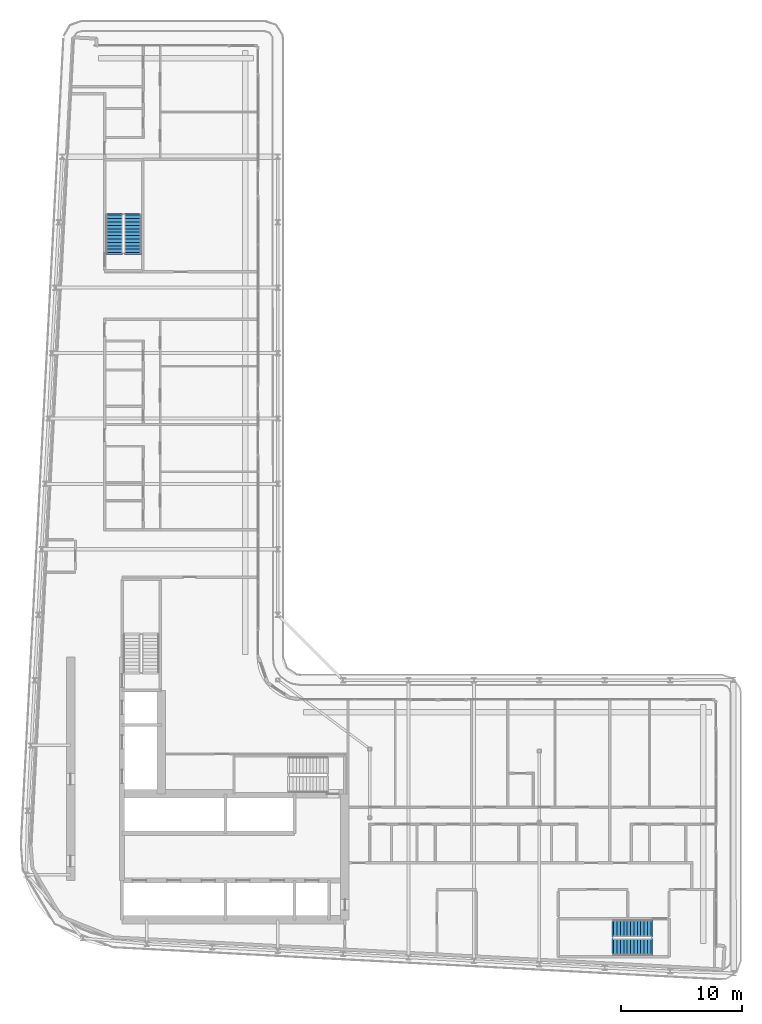
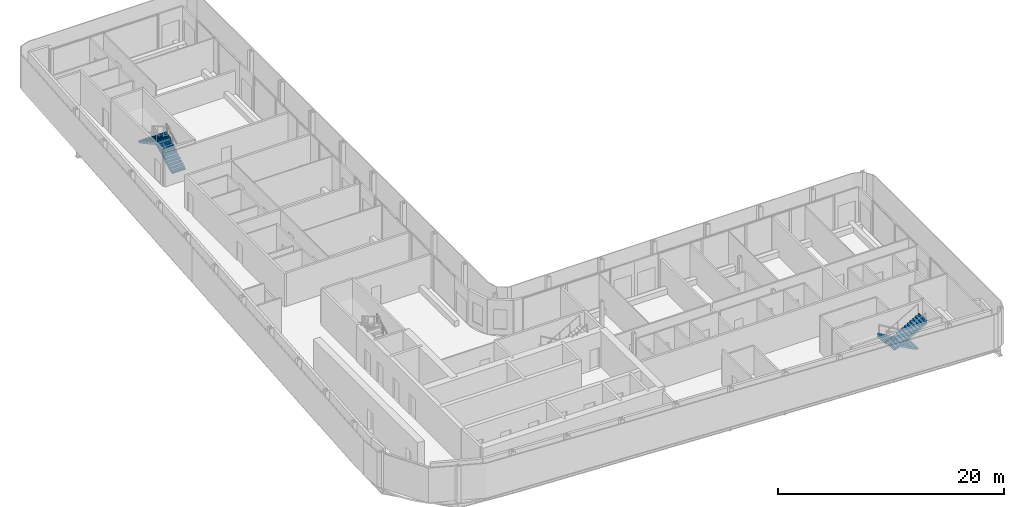
# One storey, part 15 of 22: 4 stair flights, 2 elements without a shape of their own.
"""IFC4 building model written with IfcOpenShell, lengths in metres."""

from ifc_helpers import new_model, si_unit, direction, frame, origin, place, context, subcontext, project, spatial, polyline, outline, extrude, material, layer, layer_set, type_object, element, aggregate, save


model = new_model("IFC4")

# Units and contexts
model_context = context("Model", 3, precision=1e-05, world=origin(), true_north=direction((0.0, 1.0)))
body_context = subcontext(model_context, "Body", "Model", "MODEL_VIEW")
ifc_project = project(units=[si_unit("LENGTHUNIT", "METRE"), si_unit("AREAUNIT", "SQUARE_METRE"), si_unit("VOLUMEUNIT", "CUBIC_METRE"), si_unit("PLANEANGLEUNIT", "RADIAN"), si_unit("MASSUNIT", "GRAM", prefix="KILO")], contexts=[model_context])

# Site, building, storey
site_placement = place(None, origin())
site = spatial("IfcSite", under=ifc_project, at=site_placement, CompositionType="ELEMENT")
building_placement = place(site_placement, origin())
building = spatial("IfcBuilding", under=site, at=building_placement, Name="Kheshtan School and Residences Tower", CompositionType="ELEMENT")
storey_placement = place(building_placement, frame((0.0, 0.0, 251.300048828125)))
storey = spatial("IfcBuildingStorey", under=building, at=storey_placement, Name="L59", CompositionType="ELEMENT", Elevation=251.300048828125)

# Stair, stair flights
ifc_material = material(Name="Concrete C40/50", Category="concrete")
stair_type = type_object("IfcStairType", Name="Exit stair, half-turn", PredefinedType="HALF_TURN_STAIR", material=ifc_material)
stair_1_placement = place(storey_placement, origin())
stair_1 = element("IfcStair", 1, at=stair_1_placement, inside=storey, type_object=stair_type, Name="L59 Protected Exit Stair ST3", PredefinedType="HALF_TURN_STAIR")
ifc_layer = layer(ifc_material, 0.14990234375)
ifc_layer_set = layer_set([ifc_layer], Name="Stair flight 1400 Concrete C40/50")
stair_flight_type = type_object("IfcStairFlightType", Name="Stair flight 1400 Concrete C40/50", PredefinedType="STRAIGHT", material=ifc_layer_set)
stair_flight_1_placement = place(storey_placement, frame((35.64990234375, 80.89990234375, 0.0), z_axis=(0.0, 0.0, 1.0), x_axis=(0.0, 1.0, 0.0)))
stair_flight_1 = element("IfcStairFlight", 2, at=stair_flight_1_placement, type_object=stair_flight_type, Name="ST3 flight 1", NumberOfRisers=12, NumberOfTreads=11, PredefinedType="STRAIGHT", RiserHeight=0.1625, TreadLength=0.28, context=body_context, shape_type="SweptSolid", body=[
    extrude(outline(polyline([(-0.14990234375, -0.10009765625), (-0.14990234375, 0.0), (0.0, 0.0), (0.0, 0.16259765625), (0.280029296875, 0.16259765625), (0.280029296875, 0.324951171875), (0.56005859375, 0.324951171875), (0.56005859375, 0.487548828125), (0.840087890625, 0.487548828125), (0.840087890625, 0.64990234375), (1.1201171875, 0.64990234375), (1.1201171875, 0.8125), (1.39990234375, 0.8125), (1.39990234375, 0.97509765625), (1.679931640625, 0.97509765625), (1.679931640625, 1.137451171875), (1.9599609375, 1.137451171875), (1.9599609375, 1.300048828125), (2.239990234375, 1.300048828125), (2.239990234375, 1.46240234375), (2.52001953125, 1.46240234375), (2.52001953125, 1.625), (2.800048828125, 1.625), (2.800048828125, 1.78759765625), (3.080078125, 1.78759765625), (3.080078125, 1.949951171875), (3.080078125, 1.969970703125), (3.22998046875, 1.969970703125), (3.22998046875, 1.6142578125), (0.298583984375, 0.0), (-0.14990234375, -0.10009765625)])), frame((0.0, 0.699951171875, 0.0), z_axis=(0.0, -1.0, 0.0), x_axis=(1.0, 0.0, 0.0)), (0.0, 0.0, 1.0), 1.39990234375),
])
stair_flight_2_placement = place(storey_placement, frame((34.10009765625, 83.97998046875, 1.949951171875), z_axis=(0.0, 0.0, 1.0), x_axis=(0.0, -1.0, 0.0)))
stair_flight_2 = element("IfcStairFlight", 3, at=stair_flight_2_placement, type_object=stair_flight_type, Name="ST3 flight 2", NumberOfRisers=12, NumberOfTreads=11, PredefinedType="STRAIGHT", RiserHeight=0.1625, TreadLength=0.28, context=body_context, shape_type="SweptSolid", body=[
    extrude(outline(polyline([(-0.14990234375, -0.10009765625), (-0.14990234375, 0.0), (0.0, 0.0), (0.0, 0.16259765625), (0.280029296875, 0.16259765625), (0.280029296875, 0.324951171875), (0.56005859375, 0.324951171875), (0.56005859375, 0.487548828125), (0.840087890625, 0.487548828125), (0.840087890625, 0.64990234375), (1.1201171875, 0.64990234375), (1.1201171875, 0.8125), (1.39990234375, 0.8125), (1.39990234375, 0.97509765625), (1.679931640625, 0.97509765625), (1.679931640625, 1.137451171875), (1.9599609375, 1.137451171875), (1.9599609375, 1.300048828125), (2.239990234375, 1.300048828125), (2.239990234375, 1.46240234375), (2.52001953125, 1.46240234375), (2.52001953125, 1.625), (2.800048828125, 1.625), (2.800048828125, 1.78759765625), (3.080078125, 1.78759765625), (3.080078125, 1.949951171875), (3.080078125, 1.969970703125), (3.22998046875, 1.969970703125), (3.22998046875, 1.6142578125), (0.298583984375, 0.0), (-0.14990234375, -0.10009765625)])), frame((0.0, 0.699951171875, 0.0), z_axis=(0.0, -1.0, 0.0), x_axis=(1.0, 0.0, 0.0)), (0.0, 0.0, 1.0), 1.39990234375),
])
aggregate(stair_1, [stair_flight_1, stair_flight_2])

stair_2_placement = place(storey_placement, origin())
stair_2 = element("IfcStair", 4, at=stair_2_placement, inside=storey, type_object=stair_type, Name="L59 Protected Exit Stair ST5", PredefinedType="HALF_TURN_STAIR")
stair_flight_3_placement = place(storey_placement, frame((78.409912109375, 25.10009765625, 0.0), z_axis=(0.0, 0.0, 1.0), x_axis=(-1.0, 0.0, 0.0)))
stair_flight_3 = element("IfcStairFlight", 5, at=stair_flight_3_placement, type_object=stair_flight_type, Name="ST5 flight 1", NumberOfRisers=12, NumberOfTreads=11, PredefinedType="STRAIGHT", RiserHeight=0.1625, TreadLength=0.28, context=body_context, shape_type="SweptSolid", body=[
    extrude(outline(polyline([(-0.14990234375, -0.10009765625), (-0.14990234375, 0.0), (0.0, 0.0), (0.0, 0.16259765625), (0.280029296875, 0.16259765625), (0.280029296875, 0.324951171875), (0.56005859375, 0.324951171875), (0.56005859375, 0.487548828125), (0.840087890625, 0.487548828125), (0.840087890625, 0.64990234375), (1.1201171875, 0.64990234375), (1.1201171875, 0.8125), (1.39990234375, 0.8125), (1.39990234375, 0.97509765625), (1.679931640625, 0.97509765625), (1.679931640625, 1.137451171875), (1.9599609375, 1.137451171875), (1.9599609375, 1.300048828125), (2.239990234375, 1.300048828125), (2.239990234375, 1.46240234375), (2.52001953125, 1.46240234375), (2.52001953125, 1.625), (2.800048828125, 1.625), (2.800048828125, 1.78759765625), (3.080078125, 1.78759765625), (3.080078125, 1.949951171875), (3.080078125, 1.969970703125), (3.22998046875, 1.969970703125), (3.22998046875, 1.6142578125), (0.298583984375, 0.0), (-0.14990234375, -0.10009765625)])), frame((0.0, 0.699951171875, 0.0), z_axis=(0.0, -1.0, 0.0), x_axis=(1.0, 0.0, 0.0)), (0.0, 0.0, 1.0), 1.39990234375),
])
stair_flight_4_placement = place(storey_placement, frame((75.330078125, 23.550048828125, 1.949951171875), z_axis=(0.0, 0.0, 1.0), x_axis=(1.0, 0.0, 0.0)))
stair_flight_4 = element("IfcStairFlight", 6, at=stair_flight_4_placement, type_object=stair_flight_type, Name="ST5 flight 2", NumberOfRisers=12, NumberOfTreads=11, PredefinedType="STRAIGHT", RiserHeight=0.1625, TreadLength=0.28, context=body_context, shape_type="SweptSolid", body=[
    extrude(outline(polyline([(-0.14990234375, -0.10009765625), (-0.14990234375, 0.0), (0.0, 0.0), (0.0, 0.16259765625), (0.280029296875, 0.16259765625), (0.280029296875, 0.324951171875), (0.56005859375, 0.324951171875), (0.56005859375, 0.487548828125), (0.840087890625, 0.487548828125), (0.840087890625, 0.64990234375), (1.1201171875, 0.64990234375), (1.1201171875, 0.8125), (1.39990234375, 0.8125), (1.39990234375, 0.97509765625), (1.679931640625, 0.97509765625), (1.679931640625, 1.137451171875), (1.9599609375, 1.137451171875), (1.9599609375, 1.300048828125), (2.239990234375, 1.300048828125), (2.239990234375, 1.46240234375), (2.52001953125, 1.46240234375), (2.52001953125, 1.625), (2.800048828125, 1.625), (2.800048828125, 1.78759765625), (3.080078125, 1.78759765625), (3.080078125, 1.949951171875), (3.080078125, 1.969970703125), (3.22998046875, 1.969970703125), (3.22998046875, 1.6142578125), (0.298583984375, 0.0), (-0.14990234375, -0.10009765625)])), frame((0.0, 0.699951171875, 0.0), z_axis=(0.0, -1.0, 0.0), x_axis=(1.0, 0.0, 0.0)), (0.0, 0.0, 1.0), 1.39990234375),
])
aggregate(stair_2, [stair_flight_3, stair_flight_4])

save(model, "model.ifc")
